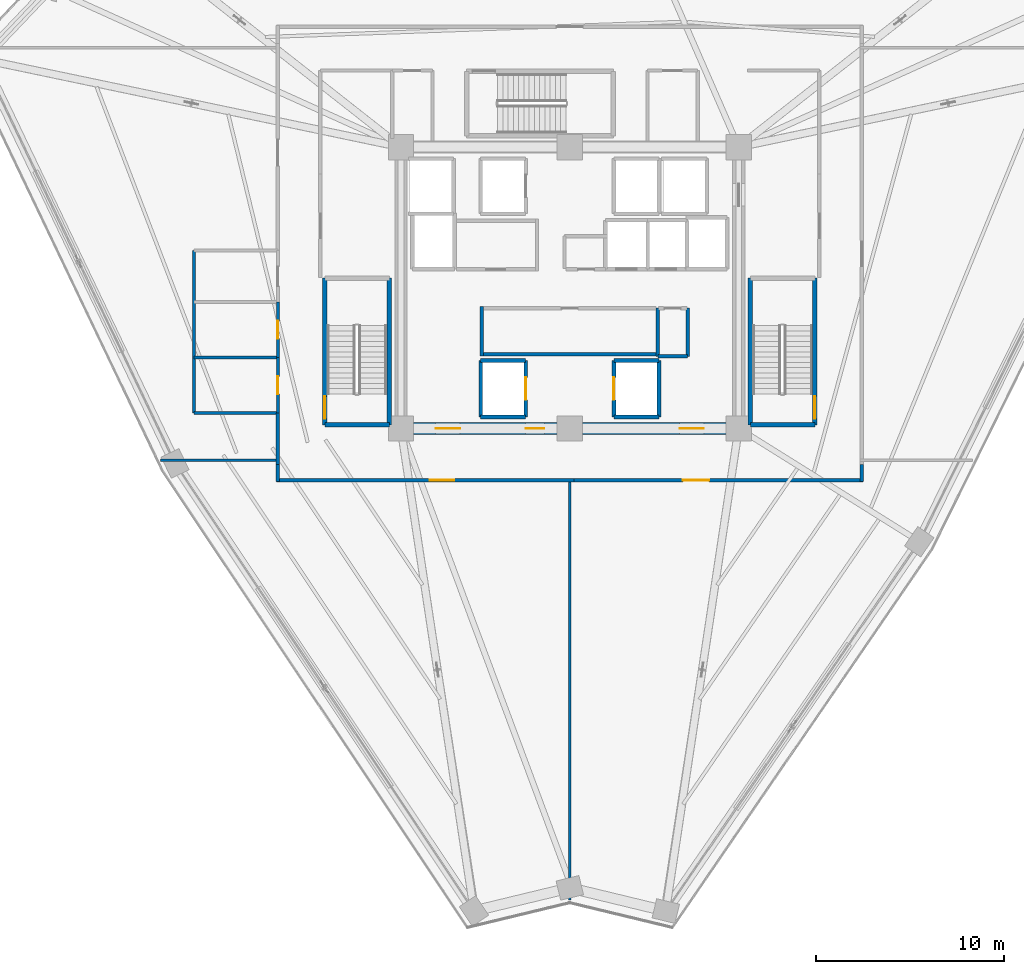
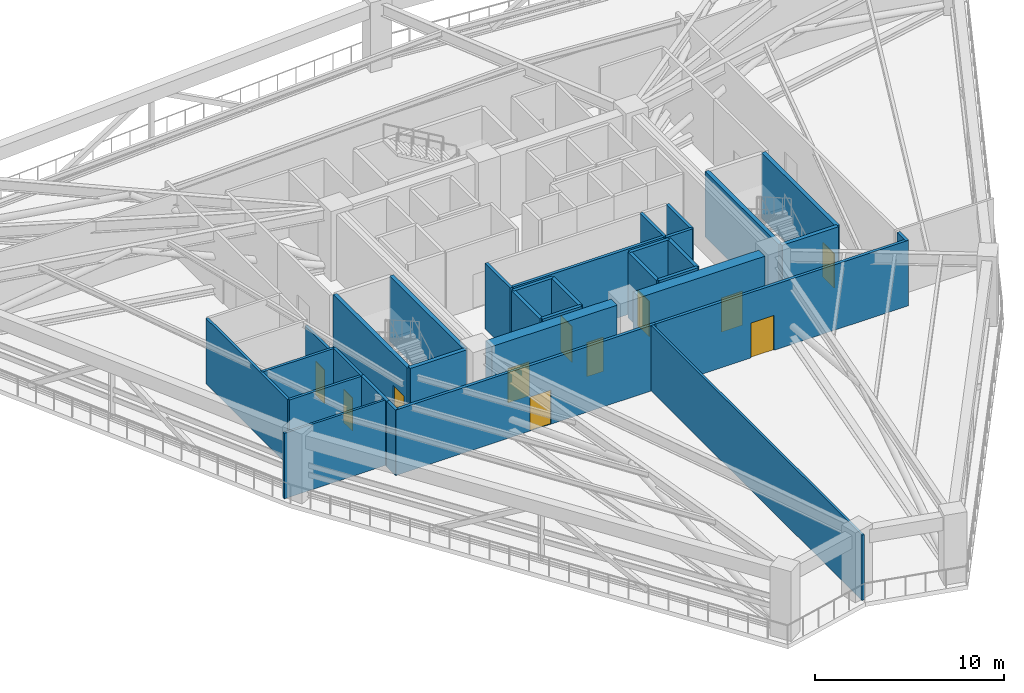
# One storey, part 14 of 22: 33 walls, 11 doors, 11 openings.
"""IFC4 building model written with IfcOpenShell, lengths in metres."""

from ifc_helpers import new_model, si_unit, direction, frame, frame_2d, origin, place, context, subcontext, project, spatial, rectangle, extrude, source, transform, mapped, material, layer, layer_set, type_object, element, fill, save


model = new_model("IFC4")

# Units and contexts
model_context = context("Model", 3, precision=1e-05, world=origin(), true_north=direction((0.0, 1.0)))
body_context = subcontext(model_context, "Body", "Model", "MODEL_VIEW")
ifc_project = project(units=[si_unit("LENGTHUNIT", "METRE"), si_unit("AREAUNIT", "SQUARE_METRE"), si_unit("VOLUMEUNIT", "CUBIC_METRE"), si_unit("PLANEANGLEUNIT", "RADIAN"), si_unit("MASSUNIT", "GRAM", prefix="KILO")], contexts=[model_context])

# Site, building, storey
site_placement = place(None, origin())
site = spatial("IfcSite", under=ifc_project, at=site_placement, CompositionType="ELEMENT")
building_placement = place(site_placement, origin())
building = spatial("IfcBuilding", under=site, at=building_placement, Name="Liaohun Quay Tower", CompositionType="ELEMENT")
storey_placement = place(building_placement, frame((0.0, 0.0, 277.5)))
storey = spatial("IfcBuildingStorey", under=building, at=storey_placement, Name="L72", CompositionType="ELEMENT", Elevation=277.5)

# Wall, opening, door
ifc_material_1 = material(Name="Concrete C55", Category="concrete")
ifc_layer_1 = layer(ifc_material_1, 0.64990234375, Name="Concrete C55", Category="concrete")
ifc_layer_set_1 = layer_set([ifc_layer_1], Name="Concrete C55")
wall_type_1 = type_object("IfcWallType", Name="WAL-COR-Z3", PredefinedType="SHEAR", material=ifc_layer_set_1)
wall_1_placement = place(storey_placement, frame((68.324951171875, 46.5, 0.0), z_axis=(0.0, 0.0, 1.0), x_axis=(-1.0, 0.0, 0.0)))
wall_1 = element("IfcWall", 1, at=wall_1_placement, inside=storey, type_object=wall_type_1, Name="L72 Central Core Shear Wall S-E", PredefinedType="SHEAR", context=body_context, shape_type="SweptSolid", body=[
    extrude(rectangle(XDim=7.64990234375, YDim=0.64990234375, at=frame_2d((3.824951171875, 0.0))), origin(), (0.0, 0.0, 1.0), 4.219970703125),
])
shared_shape_1 = source(origin(), body_context, "Body", "SweptSolid", [
    extrude(rectangle(XDim=1.300048828125, YDim=2.199951171875, at=frame_2d((0.64990234375, 1.10009765625))), frame((0.0, 0.3349609375, 0.0), z_axis=(0.0, -1.0, 0.0), x_axis=(1.0, 0.0, 0.0)), (0.0, 0.0, 1.0), 0.669921875),
])
opening_1_placement = place(wall_1_placement, frame((1.175048828125, 0.0, 0.0)))
opening_1 = element("IfcOpeningElement", 2, at=opening_1_placement, cuts=wall_1, Name="Opening FD1", PredefinedType="OPENING", context=body_context, shape_type="MappedRepresentation", body=[
    mapped(shared_shape_1, transform((0.0, 0.0, 0.0), x_axis=(1.0, 0.0, 0.0), y_axis=(0.0, 1.0, 0.0), z_axis=(0.0, 0.0, 1.0), scale=1.0)),
])
ifc_material_2 = material(Name="Galvanised steel smokeproof fire door", Category="steel")
door_type_1 = type_object("IfcDoorType", Name="DOR-FFL-1300", OperationType="NOTDEFINED", PredefinedType="DOOR", material=ifc_material_2)
shared_shape_2 = source(origin(), body_context, "Body", "SweptSolid", [
    extrude(rectangle(XDim=1.300048828125, YDim=2.199951171875, at=frame_2d((0.64990234375, 1.10009765625))), frame((0.0, 0.02490234375, 0.0), z_axis=(0.0, -1.0, 0.0), x_axis=(1.0, 0.0, 0.0)), (0.0, 0.0, 1.0), 0.050048828125),
])
door_1_placement = place(opening_1_placement, origin())
door_1 = element("IfcDoor", 3, at=door_1_placement, inside=storey, type_object=door_type_1, Name="L72 East Core Lift Lobby Smokeproof Door", OperationType="SINGLE_SWING_LEFT", OverallHeight=2.199951171875, OverallWidth=1.300048828125, PredefinedType="DOOR", context=body_context, shape_type="MappedRepresentation", body=[
    mapped(shared_shape_2, transform((0.0, 0.0, 0.0), x_axis=(1.0, 0.0, 0.0), y_axis=(0.0, 1.0, 0.0), z_axis=(0.0, 0.0, 1.0), scale=1.0)),
])
fill(opening_1, door_1)

# Wall, openings, doors
wall_2_placement = place(storey_placement, frame((59.324951171875, 46.5, 0.0), z_axis=(0.0, 0.0, 1.0), x_axis=(-1.0, 0.0, 0.0)))
wall_2 = element("IfcWall", 4, at=wall_2_placement, inside=storey, type_object=wall_type_1, Name="L72 Central Core Shear Wall S-W", PredefinedType="SHEAR", context=body_context, shape_type="SweptSolid", body=[
    extrude(rectangle(XDim=7.64990234375, YDim=0.64990234375, at=frame_2d((3.824951171875, 0.0))), origin(), (0.0, 0.0, 1.0), 4.219970703125),
])
opening_2_placement = place(wall_2_placement, frame((5.175048828125, 0.0, 0.0)))
opening_2 = element("IfcOpeningElement", 5, at=opening_2_placement, cuts=wall_2, Name="Opening FD1", PredefinedType="OPENING", context=body_context, shape_type="MappedRepresentation", body=[
    mapped(shared_shape_1, transform((0.0, 0.0, 0.0), x_axis=(1.0, 0.0, 0.0), y_axis=(0.0, 1.0, 0.0), z_axis=(0.0, 0.0, 1.0), scale=1.0)),
])
shared_shape_3 = source(origin(), body_context, "Body", "SweptSolid", [
    extrude(rectangle(XDim=1.0, YDim=2.199951171875, at=frame_2d((0.5, 1.10009765625))), frame((0.0, 0.3349609375, 0.0), z_axis=(0.0, -1.0, 0.0), x_axis=(1.0, 0.0, 0.0)), (0.0, 0.0, 1.0), 0.669921875),
])
opening_3_placement = place(wall_2_placement, frame((0.675048828125, 0.0, 0.0)))
opening_3 = element("IfcOpeningElement", 6, at=opening_3_placement, cuts=wall_2, Name="Opening FD2", PredefinedType="OPENING", context=body_context, shape_type="MappedRepresentation", body=[
    mapped(shared_shape_3, transform((0.0, 0.0, 0.0), x_axis=(1.0, 0.0, 0.0), y_axis=(0.0, 1.0, 0.0), z_axis=(0.0, 0.0, 1.0), scale=1.0)),
])
door_2_placement = place(opening_2_placement, origin())
door_2 = element("IfcDoor", 7, at=door_2_placement, inside=storey, type_object=door_type_1, Name="L72 West Core Lift Lobby Smokeproof Door", OperationType="SINGLE_SWING_RIGHT", OverallHeight=2.199951171875, OverallWidth=1.300048828125, PredefinedType="DOOR", context=body_context, shape_type="MappedRepresentation", body=[
    mapped(shared_shape_2, transform((0.0, 0.0, 0.0), x_axis=(1.0, 0.0, 0.0), y_axis=(0.0, 1.0, 0.0), z_axis=(0.0, 0.0, 1.0), scale=1.0)),
])
fill(opening_2, door_2)
ifc_material_3 = material(Name="Galvanised steel smokeproof lobby fire door", Category="steel")
door_type_2 = type_object("IfcDoorType", Name="DOR-FFL-1000", OperationType="NOTDEFINED", PredefinedType="DOOR", material=ifc_material_3)
shared_shape_4 = source(origin(), body_context, "Body", "SweptSolid", [
    extrude(rectangle(XDim=1.0, YDim=2.199951171875, at=frame_2d((0.5, 1.10009765625))), frame((0.0, 0.02490234375, 0.0), z_axis=(0.0, -1.0, 0.0), x_axis=(1.0, 0.0, 0.0)), (0.0, 0.0, 1.0), 0.050048828125),
])
door_3_placement = place(opening_3_placement, origin())
door_3 = element("IfcDoor", 8, at=door_3_placement, inside=storey, type_object=door_type_2, Name="L72 South Firefighting Lobby Smokeproof Door", OperationType="SINGLE_SWING_LEFT", OverallHeight=2.199951171875, OverallWidth=1.0, PredefinedType="DOOR", context=body_context, shape_type="MappedRepresentation", body=[
    mapped(shared_shape_4, transform((0.0, 0.0, 0.0), x_axis=(1.0, 0.0, 0.0), y_axis=(0.0, 1.0, 0.0), z_axis=(0.0, 0.0, 1.0), scale=1.0)),
])
fill(opening_3, door_3)

# Wall, opening, door
ifc_material_4 = material(Name="Autoclaved aerated concrete blockwork", Category="masonry")
ifc_layer_2 = layer(ifc_material_4, 0.179931640625, Name="Autoclaved aerated concrete blockwork", Category="masonry")
ifc_layer_set_2 = layer_set([ifc_layer_2], Name="Autoclaved aerated concrete blockwork")
wall_type_2 = type_object("IfcWallType", Name="WAL-PRT-COR", PredefinedType="PARTITIONING", material=ifc_layer_set_2)
wall_3_placement = place(storey_placement, frame((60.215087890625, 43.739990234375, 0.0), z_axis=(0.0, 0.0, 1.0), x_axis=(-1.0, 0.0, 0.0)))
wall_3 = element("IfcWall", 9, at=wall_3_placement, inside=storey, type_object=wall_type_2, Name="L72 Interior Partition Wall 015", PredefinedType="PARTITIONING", context=body_context, shape_type="SweptSolid", body=[
    extrude(rectangle(XDim=15.844970703125, YDim=0.179931640625, at=frame_2d((7.92236328125, 0.0))), origin(), (0.0, 0.0, 1.0), 4.219970703125),
])
shared_shape_5 = source(origin(), body_context, "Body", "SweptSolid", [
    extrude(rectangle(XDim=1.300048828125, YDim=2.199951171875, at=frame_2d((0.64990234375, 1.10009765625))), frame((0.0, 0.099853515625, 0.0), z_axis=(0.0, -1.0, 0.0), x_axis=(1.0, 0.0, 0.0)), (0.0, 0.0, 1.0), 0.199951171875),
])
opening_4_placement = place(wall_3_placement, frame((6.373046875, 0.0, 0.0)))
opening_4 = element("IfcOpeningElement", 10, at=opening_4_placement, cuts=wall_3, Name="Opening FD1", PredefinedType="OPENING", context=body_context, shape_type="MappedRepresentation", body=[
    mapped(shared_shape_5, transform((0.0, 0.0, 0.0), x_axis=(1.0, 0.0, 0.0), y_axis=(0.0, 1.0, 0.0), z_axis=(0.0, 0.0, 1.0), scale=1.0)),
])
door_4_placement = place(opening_4_placement, origin())
door_4 = element("IfcDoor", 11, at=door_4_placement, inside=storey, type_object=door_type_1, Name="L72 North Open-Air Refuge Staging Area Door", OperationType="SINGLE_SWING_LEFT", OverallHeight=2.199951171875, OverallWidth=1.300048828125, PredefinedType="DOOR", context=body_context, shape_type="MappedRepresentation", body=[
    mapped(shared_shape_2, transform((0.0, 0.0, 0.0), x_axis=(1.0, 0.0, 0.0), y_axis=(0.0, 1.0, 0.0), z_axis=(0.0, 0.0, 1.0), scale=1.0)),
])
fill(opening_4, door_4)

wall_4_placement = place(storey_placement, frame((75.6298828125, 43.739990234375, 0.0), z_axis=(0.0, 0.0, 1.0), x_axis=(-1.0, 0.0, 0.0)))
wall_4 = element("IfcWall", 12, at=wall_4_placement, inside=storey, type_object=wall_type_2, Name="L72 Interior Partition Wall 016", PredefinedType="PARTITIONING", context=body_context, shape_type="SweptSolid", body=[
    extrude(rectangle(XDim=15.414794921875, YDim=0.179931640625, at=frame_2d((7.70751953125, 0.0))), origin(), (0.0, 0.0, 1.0), 4.219970703125),
])
shared_shape_6 = source(origin(), body_context, "Body", "SweptSolid", [
    extrude(rectangle(XDim=1.39990234375, YDim=2.25, at=frame_2d((0.699951171875, 1.125))), frame((0.0, 0.099853515625, 0.0), z_axis=(0.0, -1.0, 0.0), x_axis=(1.0, 0.0, 0.0)), (0.0, 0.0, 1.0), 0.199951171875),
])
opening_5_placement = place(wall_4_placement, frame((8.20703125, 0.0, 0.0)))
opening_5 = element("IfcOpeningElement", 13, at=opening_5_placement, cuts=wall_4, Name="Opening MD1", PredefinedType="OPENING", context=body_context, shape_type="MappedRepresentation", body=[
    mapped(shared_shape_6, transform((0.0, 0.0, 0.0), x_axis=(1.0, 0.0, 0.0), y_axis=(0.0, 1.0, 0.0), z_axis=(0.0, 0.0, 1.0), scale=1.0)),
])
ifc_material_5 = material(Name="Insulated steel plant room door", Category="steel")
door_type_3 = type_object("IfcDoorType", Name="DOR-MEP-1400", OperationType="DOUBLE_DOOR_SINGLE_SWING", PredefinedType="DOOR", material=ifc_material_5)
shared_shape_7 = source(origin(), body_context, "Body", "SweptSolid", [
    extrude(rectangle(XDim=1.39990234375, YDim=2.25, at=frame_2d((0.699951171875, 1.125))), frame((0.0, 0.02490234375, 0.0), z_axis=(0.0, -1.0, 0.0), x_axis=(1.0, 0.0, 0.0)), (0.0, 0.0, 1.0), 0.050048828125),
])
door_5_placement = place(opening_5_placement, origin())
door_5 = element("IfcDoor", 14, at=door_5_placement, inside=storey, type_object=door_type_3, Name="L72 East Booster Water Pump and Tank Plant Room Door", OperationType="DOUBLE_DOOR_SINGLE_SWING", OverallHeight=2.25, OverallWidth=1.39990234375, PredefinedType="DOOR", context=body_context, shape_type="MappedRepresentation", body=[
    mapped(shared_shape_7, transform((0.0, 0.0, 0.0), x_axis=(1.0, 0.0, 0.0), y_axis=(0.0, 1.0, 0.0), z_axis=(0.0, 0.0, 1.0), scale=1.0)),
])
fill(opening_5, door_5)

# Walls
wall_5_placement = place(storey_placement, frame((64.68994140625, 50.35009765625, 0.0), z_axis=(0.0, 0.0, 1.0), x_axis=(0.0, 1.0, 0.0)))
element("IfcWall", 15, at=wall_5_placement, inside=storey, type_object=wall_type_2, Name="L72 Interior Partition Wall 019", PredefinedType="PARTITIONING", context=body_context, shape_type="SweptSolid", body=[
    extrude(rectangle(XDim=2.56982421875, YDim=0.179931640625, at=frame_2d((1.284912109375, 0.0))), origin(), (0.0, 0.0, 1.0), 4.219970703125),
])
wall_6_placement = place(storey_placement, frame((64.68994140625, 50.35009765625, 0.0), z_axis=(0.0, 0.0, 1.0), x_axis=(1.0, 0.0, 0.0)))
element("IfcWall", 16, at=wall_6_placement, inside=storey, type_object=wall_type_2, Name="L72 Interior Partition Wall 020", PredefinedType="PARTITIONING", context=body_context, shape_type="SweptSolid", body=[
    extrude(rectangle(XDim=1.590087890625, YDim=0.179931640625, at=frame_2d((0.794921875, 0.0))), origin(), (0.0, 0.0, 1.0), 4.219970703125),
])
wall_7_placement = place(storey_placement, frame((66.280029296875, 50.35009765625, 0.0), z_axis=(0.0, 0.0, 1.0), x_axis=(0.0, 1.0, 0.0)))
element("IfcWall", 17, at=wall_7_placement, inside=storey, type_object=wall_type_2, Name="L72 Interior Partition Wall 021", PredefinedType="PARTITIONING", context=body_context, shape_type="SweptSolid", body=[
    extrude(rectangle(XDim=2.56982421875, YDim=0.179931640625, at=frame_2d((1.284912109375, 0.0))), origin(), (0.0, 0.0, 1.0), 4.219970703125),
])
wall_8_placement = place(storey_placement, frame((44.43994140625, 44.5849609375, 0.0), z_axis=(0.0, 0.0, 1.0), x_axis=(0.0, 1.0, 0.0)))
element("IfcWall", 18, at=wall_8_placement, inside=storey, type_object=wall_type_2, Name="L72 Interior Partition Wall 037", PredefinedType="PARTITIONING", context=body_context, shape_type="SweptSolid", body=[
    extrude(rectangle(XDim=2.755126953125, YDim=0.179931640625, at=frame_2d((1.37744140625, 0.0))), origin(), (0.0, 0.0, 1.0), 4.219970703125),
])
for number, where, z_axis, x_axis, name in (
    (19, (44.43994140625, 43.669921875, 0.0), (0.0, 0.0, 1.0), (0.0, 1.0, 0.0), "L72 Interior Partition Wall 038"),
    (20, (75.56005859375, 44.5849609375, 0.0), (0.0, 0.0, 1.0), (0.0, -1.0, 0.0), "L72 Interior Partition Wall 039"),
):
    element("IfcWall", number, at=place(storey_placement, frame(where, z_axis=z_axis, x_axis=x_axis)), inside=storey, type_object=wall_type_2, Name=name, PredefinedType="PARTITIONING", context=body_context, shape_type="SweptSolid", body=[
        extrude(rectangle(XDim=0.9150390625, YDim=0.179931640625, at=frame_2d((0.45751953125, 0.0))), origin(), (0.0, 0.0, 1.0), 4.219970703125),
    ])
wall_9_placement = place(storey_placement, frame((55.300048828125, 50.360107421875, 0.0), z_axis=(0.0, 0.0, 1.0), x_axis=(0.0, 1.0, 0.0)))
element("IfcWall", 21, at=wall_9_placement, inside=storey, type_object=wall_type_2, Name="L72 Interior Partition Wall 045", PredefinedType="PARTITIONING", context=body_context, shape_type="SweptSolid", body=[
    extrude(rectangle(XDim=2.64990234375, YDim=0.179931640625, at=frame_2d((1.324951171875, 0.0))), origin(), (0.0, 0.0, 1.0), 4.219970703125),
])
wall_10_placement = place(storey_placement, frame((55.389892578125, 50.449951171875, 0.0), z_axis=(0.0, 0.0, 1.0), x_axis=(1.0, 0.0, 0.0)))
element("IfcWall", 22, at=wall_10_placement, inside=storey, type_object=wall_type_2, Name="L72 Interior Partition Wall 046", PredefinedType="PARTITIONING", context=body_context, shape_type="SweptSolid", body=[
    extrude(rectangle(XDim=9.210205078125, YDim=0.179931640625, at=frame_2d((4.60498046875, 0.0))), origin(), (0.0, 0.0, 1.0), 4.219970703125),
])
ifc_material_6 = material(Name="Gypsum board on twin steel studs", Category="steel")
ifc_layer_3 = layer(ifc_material_6, 0.139892578125, Name="Gypsum board on twin steel studs", Category="steel")
ifc_layer_set_3 = layer_set([ifc_layer_3], Name="Gypsum board on twin steel studs")
wall_type_3 = type_object("IfcWallType", Name="WAL-PRT-OFF", PredefinedType="PARTITIONING", material=ifc_layer_set_3)
wall_11_placement = place(storey_placement, frame((44.5400390625, 44.800048828125, 0.0), z_axis=(0.0, 0.0, 1.0), x_axis=(-1.0, 0.0, 0.0)))
element("IfcWall", 23, at=wall_11_placement, inside=storey, type_object=wall_type_3, Name="L72 Interior Partition Wall 040", PredefinedType="PARTITIONING", context=body_context, shape_type="SweptSolid", body=[
    extrude(rectangle(XDim=6.35107421875, YDim=0.139892578125, at=frame_2d((3.175537109375, 0.0))), origin(), (0.0, 0.0, 1.0), 4.219970703125),
])
wall_12_placement = place(storey_placement, frame((60.0, 43.840087890625, 0.0), z_axis=(0.0, 0.0, 1.0), x_axis=(0.0, -1.0, 0.0)))
element("IfcWall", 24, at=wall_12_placement, inside=storey, type_object=wall_type_3, Name="L72 Interior Partition Wall 044", PredefinedType="PARTITIONING", context=body_context, shape_type="SweptSolid", body=[
    extrude(rectangle(XDim=22.47119140625, YDim=0.139892578125, at=frame_2d((11.235595703125, 0.0))), origin(), (0.0, 0.0, 1.0), 4.219970703125),
])

# Wall, opening, door
ifc_material_7 = material(Name="Moisture-resistant masonry blockwork", Category="masonry")
ifc_layer_4 = layer(ifc_material_7, 0.159912109375, Name="Moisture-resistant masonry blockwork", Category="masonry")
ifc_layer_set_4 = layer_set([ifc_layer_4], Name="Moisture-resistant masonry blockwork")
wall_type_4 = type_object("IfcWallType", Name="WAL-PRT-WET", PredefinedType="PARTITIONING", material=ifc_layer_set_4)
wall_13_placement = place(storey_placement, frame((44.43994140625, 47.340087890625, 0.0), z_axis=(0.0, 0.0, 1.0), x_axis=(0.0, 1.0, 0.0)))
wall_13 = element("IfcWall", 25, at=wall_13_placement, inside=storey, type_object=wall_type_4, Name="L72 Interior Partition Wall 005", PredefinedType="PARTITIONING", context=body_context, shape_type="SweptSolid", body=[
    extrude(rectangle(XDim=2.93994140625, YDim=0.159912109375, at=frame_2d((1.469970703125, 0.0))), origin(), (0.0, 0.0, 1.0), 4.219970703125),
])
shared_shape_8 = source(origin(), body_context, "Body", "SweptSolid", [
    extrude(rectangle(XDim=0.949951171875, YDim=2.14990234375, at=frame_2d((0.47509765625, 1.074951171875))), frame((0.0, 0.08984375, 0.0), z_axis=(0.0, -1.0, 0.0), x_axis=(1.0, 0.0, 0.0)), (0.0, 0.0, 1.0), 0.179931640625),
])
opening_6_placement = place(wall_13_placement, frame((0.9951171875, 0.0, 0.0)))
opening_6 = element("IfcOpeningElement", 26, at=opening_6_placement, cuts=wall_13, Name="Opening WD1", PredefinedType="OPENING", context=body_context, shape_type="MappedRepresentation", body=[
    mapped(shared_shape_8, transform((0.0, 0.0, 0.0), x_axis=(1.0, 0.0, 0.0), y_axis=(0.0, 1.0, 0.0), z_axis=(0.0, 0.0, 1.0), scale=1.0)),
])
ifc_material_8 = material(Name="Moisture-resistant laminate timber leaf", Category="wood")
door_type_4 = type_object("IfcDoorType", Name="DOR-WC-950", OperationType="NOTDEFINED", PredefinedType="DOOR", material=ifc_material_8)
shared_shape_9 = source(origin(), body_context, "Body", "SweptSolid", [
    extrude(rectangle(XDim=0.949951171875, YDim=2.14990234375, at=frame_2d((0.47509765625, 1.074951171875))), frame((0.0, 0.02490234375, 0.0), z_axis=(0.0, -1.0, 0.0), x_axis=(1.0, 0.0, 0.0)), (0.0, 0.0, 1.0), 0.050048828125),
])
door_6_placement = place(opening_6_placement, origin())
door_6 = element("IfcDoor", 27, at=door_6_placement, inside=storey, type_object=door_type_4, Name="L72 Male Restroom WC Door", OperationType="SINGLE_SWING_LEFT", OverallHeight=2.14990234375, OverallWidth=0.949951171875, PredefinedType="DOOR", context=body_context, shape_type="MappedRepresentation", body=[
    mapped(shared_shape_9, transform((0.0, 0.0, 0.0), x_axis=(1.0, 0.0, 0.0), y_axis=(0.0, 1.0, 0.0), z_axis=(0.0, 0.0, 1.0), scale=1.0)),
])
fill(opening_6, door_6)

wall_14_placement = place(storey_placement, frame((44.43994140625, 50.280029296875, 0.0), z_axis=(0.0, 0.0, 1.0), x_axis=(0.0, 1.0, 0.0)))
wall_14 = element("IfcWall", 28, at=wall_14_placement, inside=storey, type_object=wall_type_4, Name="L72 Interior Partition Wall 006", PredefinedType="PARTITIONING", context=body_context, shape_type="SweptSolid", body=[
    extrude(rectangle(XDim=2.9599609375, YDim=0.159912109375, at=frame_2d((1.47998046875, 0.0))), origin(), (0.0, 0.0, 1.0), 3.85498046875),
])
opening_7_placement = place(wall_14_placement, frame((1.0048828125, 0.0, 0.0)))
opening_7 = element("IfcOpeningElement", 29, at=opening_7_placement, cuts=wall_14, Name="Opening WD1", PredefinedType="OPENING", context=body_context, shape_type="MappedRepresentation", body=[
    mapped(shared_shape_8, transform((0.0, 0.0, 0.0), x_axis=(1.0, 0.0, 0.0), y_axis=(0.0, 1.0, 0.0), z_axis=(0.0, 0.0, 1.0), scale=1.0)),
])
door_7_placement = place(opening_7_placement, origin())
door_7 = element("IfcDoor", 30, at=door_7_placement, inside=storey, type_object=door_type_4, Name="L72 Female Restroom WC Door", OperationType="SINGLE_SWING_RIGHT", OverallHeight=2.14990234375, OverallWidth=0.949951171875, PredefinedType="DOOR", context=body_context, shape_type="MappedRepresentation", body=[
    mapped(shared_shape_9, transform((0.0, 0.0, 0.0), x_axis=(1.0, 0.0, 0.0), y_axis=(0.0, 1.0, 0.0), z_axis=(0.0, 0.0, 1.0), scale=1.0)),
])
fill(opening_7, door_7)

# Walls
wall_15_placement = place(storey_placement, frame((39.97998046875, 47.340087890625, 0.0), z_axis=(0.0, 0.0, 1.0), x_axis=(0.0, 1.0, 0.0)))
element("IfcWall", 31, at=wall_15_placement, inside=storey, type_object=wall_type_4, Name="L72 Interior Partition Wall 022", PredefinedType="PARTITIONING", context=body_context, shape_type="SweptSolid", body=[
    extrude(rectangle(XDim=8.639892578125, YDim=0.159912109375, at=frame_2d((4.31982421875, 0.0))), origin(), (0.0, 0.0, 1.0), 4.219970703125),
])
for number, where, z_axis, x_axis, name in (
    (32, (39.97998046875, 47.340087890625, 0.0), (0.0, 0.0, 1.0), (1.0, 0.0, 0.0), "L72 Interior Partition Wall 023"),
    (33, (39.97998046875, 50.280029296875, 0.0), (0.0, 0.0, 1.0), (1.0, 0.0, 0.0), "L72 Interior Partition Wall 024"),
):
    element("IfcWall", number, at=place(storey_placement, frame(where, z_axis=z_axis, x_axis=x_axis)), inside=storey, type_object=wall_type_4, Name=name, PredefinedType="PARTITIONING", context=body_context, shape_type="SweptSolid", body=[
        extrude(rectangle(XDim=4.4599609375, YDim=0.159912109375, at=frame_2d((2.22998046875, 0.0))), origin(), (0.0, 0.0, 1.0), 4.219970703125),
    ])
ifc_material_9 = material(Name="Concrete C50", Category="concrete")
ifc_layer_5 = layer(ifc_material_9, 0.239990234375, Name="Concrete C50", Category="concrete")
ifc_layer_set_5 = layer_set([ifc_layer_5], Name="Concrete C50")
wall_type_5 = type_object("IfcWallType", Name="WAL-SHF-200", PredefinedType="SOLIDWALL", material=ifc_layer_set_5)
wall_16_placement = place(storey_placement, frame((46.93994140625, 46.699951171875, 0.0), z_axis=(0.0, 0.0, 1.0), x_axis=(1.0, 0.0, 0.0)))
element("IfcWall", 34, at=wall_16_placement, inside=storey, type_object=wall_type_5, Name="L72 Stairwell ST-1 Structural Core Wall S", PredefinedType="SOLIDWALL", context=body_context, shape_type="SweptSolid", body=[
    extrude(rectangle(XDim=3.43994140625, YDim=0.239990234375, at=frame_2d((1.719970703125, 0.0))), origin(), (0.0, 0.0, 1.0), 4.219970703125),
])
wall_17_placement = place(storey_placement, frame((50.3798828125, 46.699951171875, 0.0), z_axis=(0.0, 0.0, 1.0), x_axis=(0.0, 1.0, 0.0)))
element("IfcWall", 35, at=wall_17_placement, inside=storey, type_object=wall_type_5, Name="L72 Stairwell ST-1 Structural Core Wall E", PredefinedType="SOLIDWALL", context=body_context, shape_type="SweptSolid", body=[
    extrude(rectangle(XDim=7.820068359375, YDim=0.239990234375, at=frame_2d((3.91015625, 0.0))), origin(), (0.0, 0.0, 1.0), 4.219970703125),
])

# Wall, opening, door
wall_18_placement = place(storey_placement, frame((46.93994140625, 54.52001953125, 0.0), z_axis=(0.0, 0.0, 1.0), x_axis=(0.0, -1.0, 0.0)))
wall_18 = element("IfcWall", 36, at=wall_18_placement, inside=storey, type_object=wall_type_5, Name="L72 Stairwell ST-1 Structural Core Wall W", PredefinedType="SOLIDWALL", context=body_context, shape_type="SweptSolid", body=[
    extrude(rectangle(XDim=7.820068359375, YDim=0.239990234375, at=frame_2d((3.91015625, 0.0))), origin(), (0.0, 0.0, 1.0), 4.219970703125),
])
shared_shape_10 = source(origin(), body_context, "Body", "SweptSolid", [
    extrude(rectangle(XDim=1.199951171875, YDim=2.199951171875, at=frame_2d((0.60009765625, 1.10009765625))), frame((0.0, 0.1298828125, 0.0), z_axis=(0.0, -1.0, 0.0), x_axis=(1.0, 0.0, 0.0)), (0.0, 0.0, 1.0), 0.260009765625),
])
opening_8_placement = place(wall_18_placement, frame((6.300048828125, 0.0, 0.0)))
opening_8 = element("IfcOpeningElement", 37, at=opening_8_placement, cuts=wall_18, Name="Opening SD1", PredefinedType="OPENING", context=body_context, shape_type="MappedRepresentation", body=[
    mapped(shared_shape_10, transform((0.0, 0.0, 0.0), x_axis=(1.0, 0.0, 0.0), y_axis=(0.0, 1.0, 0.0), z_axis=(0.0, 0.0, 1.0), scale=1.0)),
])
ifc_material_10 = material(Name="Galvanised steel fire door", Category="steel")
door_type_5 = type_object("IfcDoorType", Name="DOR-STR-1200", OperationType="NOTDEFINED", PredefinedType="DOOR", material=ifc_material_10)
shared_shape_11 = source(origin(), body_context, "Body", "SweptSolid", [
    extrude(rectangle(XDim=1.199951171875, YDim=2.199951171875, at=frame_2d((0.60009765625, 1.10009765625))), frame((0.0, 0.02490234375, 0.0), z_axis=(0.0, -1.0, 0.0), x_axis=(1.0, 0.0, 0.0)), (0.0, 0.0, 1.0), 0.050048828125),
])
door_8_placement = place(opening_8_placement, origin())
door_8 = element("IfcDoor", 38, at=door_8_placement, inside=storey, type_object=door_type_5, Name="L72 Protected Stair ST-1 Fire Door", OperationType="SINGLE_SWING_LEFT", OverallHeight=2.199951171875, OverallWidth=1.199951171875, PredefinedType="DOOR", context=body_context, shape_type="MappedRepresentation", body=[
    mapped(shared_shape_11, transform((0.0, 0.0, 0.0), x_axis=(1.0, 0.0, 0.0), y_axis=(0.0, 1.0, 0.0), z_axis=(0.0, 0.0, 1.0), scale=1.0)),
])
fill(opening_8, door_8)

# Wall
wall_19_placement = place(storey_placement, frame((69.6201171875, 46.699951171875, 0.0), z_axis=(0.0, 0.0, 1.0), x_axis=(1.0, 0.0, 0.0)))
element("IfcWall", 39, at=wall_19_placement, inside=storey, type_object=wall_type_5, Name="L72 Stairwell ST-2 Structural Core Wall S", PredefinedType="SOLIDWALL", context=body_context, shape_type="SweptSolid", body=[
    extrude(rectangle(XDim=3.43994140625, YDim=0.239990234375, at=frame_2d((1.719970703125, 0.0))), origin(), (0.0, 0.0, 1.0), 4.219970703125),
])

# Wall, opening, door
wall_20_placement = place(storey_placement, frame((73.06005859375, 46.699951171875, 0.0), z_axis=(0.0, 0.0, 1.0), x_axis=(0.0, 1.0, 0.0)))
wall_20 = element("IfcWall", 40, at=wall_20_placement, inside=storey, type_object=wall_type_5, Name="L72 Stairwell ST-2 Structural Core Wall E", PredefinedType="SOLIDWALL", context=body_context, shape_type="SweptSolid", body=[
    extrude(rectangle(XDim=7.820068359375, YDim=0.239990234375, at=frame_2d((3.91015625, 0.0))), origin(), (0.0, 0.0, 1.0), 4.219970703125),
])
opening_9_placement = place(wall_20_placement, frame((0.320068359375, 0.0, 0.0)))
opening_9 = element("IfcOpeningElement", 41, at=opening_9_placement, cuts=wall_20, Name="Opening SD1", PredefinedType="OPENING", context=body_context, shape_type="MappedRepresentation", body=[
    mapped(shared_shape_10, transform((0.0, 0.0, 0.0), x_axis=(1.0, 0.0, 0.0), y_axis=(0.0, 1.0, 0.0), z_axis=(0.0, 0.0, 1.0), scale=1.0)),
])
door_9_placement = place(opening_9_placement, origin())
door_9 = element("IfcDoor", 42, at=door_9_placement, inside=storey, type_object=door_type_5, Name="L72 Protected Stair ST-2 Fire Door", OperationType="SINGLE_SWING_RIGHT", OverallHeight=2.199951171875, OverallWidth=1.199951171875, PredefinedType="DOOR", context=body_context, shape_type="MappedRepresentation", body=[
    mapped(shared_shape_11, transform((0.0, 0.0, 0.0), x_axis=(1.0, 0.0, 0.0), y_axis=(0.0, 1.0, 0.0), z_axis=(0.0, 0.0, 1.0), scale=1.0)),
])
fill(opening_9, door_9)

# Walls
wall_21_placement = place(storey_placement, frame((69.6201171875, 54.52001953125, 0.0), z_axis=(0.0, 0.0, 1.0), x_axis=(0.0, -1.0, 0.0)))
element("IfcWall", 43, at=wall_21_placement, inside=storey, type_object=wall_type_5, Name="L72 Stairwell ST-2 Structural Core Wall W", PredefinedType="SOLIDWALL", context=body_context, shape_type="SweptSolid", body=[
    extrude(rectangle(XDim=7.820068359375, YDim=0.239990234375, at=frame_2d((3.91015625, 0.0))), origin(), (0.0, 0.0, 1.0), 4.219970703125),
])
wall_22_placement = place(storey_placement, frame((55.25, 47.1201171875, 0.0), z_axis=(0.0, 0.0, 1.0), x_axis=(1.0, 0.0, 0.0)))
element("IfcWall", 44, at=wall_22_placement, inside=storey, type_object=wall_type_5, Name="L72 Lift FF-01 Hoistway Wall S", PredefinedType="SOLIDWALL", context=body_context, shape_type="SweptSolid", body=[
    extrude(rectangle(XDim=2.39990234375, YDim=0.199951171875, at=frame_2d((1.199951171875, 0.0))), origin(), (0.0, 0.0, 1.0), 4.219970703125),
])

# Wall, opening, door
wall_23_placement = place(storey_placement, frame((57.64990234375, 47.1201171875, 0.0), z_axis=(0.0, 0.0, 1.0), x_axis=(0.0, 1.0, 0.0)))
wall_23 = element("IfcWall", 45, at=wall_23_placement, inside=storey, type_object=wall_type_5, Name="L72 Lift FF-01 Hoistway Wall E", PredefinedType="SOLIDWALL", context=body_context, shape_type="SweptSolid", body=[
    extrude(rectangle(XDim=3.0, YDim=0.199951171875, at=frame_2d((1.5, 0.0))), origin(), (0.0, 0.0, 1.0), 4.219970703125),
])
shared_shape_12 = source(origin(), body_context, "Body", "SweptSolid", [
    extrude(rectangle(XDim=1.199951171875, YDim=2.300048828125, at=frame_2d((0.60009765625, 1.14990234375))), frame((0.0, 0.10986328125, 0.0), z_axis=(0.0, -1.0, 0.0), x_axis=(1.0, 0.0, 0.0)), (0.0, 0.0, 1.0), 0.219970703125),
])
opening_10_placement = place(wall_23_placement, frame((0.89990234375, 0.0, 0.0)))
opening_10 = element("IfcOpeningElement", 46, at=opening_10_placement, cuts=wall_23, Name="Opening LD2", PredefinedType="OPENING", context=body_context, shape_type="MappedRepresentation", body=[
    mapped(shared_shape_12, transform((0.0, 0.0, 0.0), x_axis=(1.0, 0.0, 0.0), y_axis=(0.0, 1.0, 0.0), z_axis=(0.0, 0.0, 1.0), scale=1.0)),
])
ifc_material_11 = material(Name="Brushed stainless steel stretcher landing door", Category="steel")
door_type_6 = type_object("IfcDoorType", Name="DOR-LFT-1200", OperationType="SLIDING_TO_LEFT", PredefinedType="DOOR", material=ifc_material_11)
shared_shape_13 = source(origin(), body_context, "Body", "SweptSolid", [
    extrude(rectangle(XDim=1.199951171875, YDim=2.300048828125, at=frame_2d((0.60009765625, 1.14990234375))), frame((0.0, 0.02490234375, 0.0), z_axis=(0.0, -1.0, 0.0), x_axis=(1.0, 0.0, 0.0)), (0.0, 0.0, 1.0), 0.050048828125),
])
door_10_placement = place(opening_10_placement, origin())
door_10 = element("IfcDoor", 47, at=door_10_placement, inside=storey, type_object=door_type_6, Name="L72 Lift FF-01 Sliding Landing Door", OperationType="SLIDING_TO_LEFT", OverallHeight=2.300048828125, OverallWidth=1.199951171875, PredefinedType="DOOR", context=body_context, shape_type="MappedRepresentation", body=[
    mapped(shared_shape_13, transform((0.0, 0.0, 0.0), x_axis=(1.0, 0.0, 0.0), y_axis=(0.0, 1.0, 0.0), z_axis=(0.0, 0.0, 1.0), scale=1.0)),
])
fill(opening_10, door_10)

# Walls
wall_24_placement = place(storey_placement, frame((57.64990234375, 50.1201171875, 0.0), z_axis=(0.0, 0.0, 1.0), x_axis=(-1.0, 0.0, 0.0)))
element("IfcWall", 48, at=wall_24_placement, inside=storey, type_object=wall_type_5, Name="L72 Lift FF-01 Hoistway Wall N", PredefinedType="SOLIDWALL", context=body_context, shape_type="SweptSolid", body=[
    extrude(rectangle(XDim=2.39990234375, YDim=0.199951171875, at=frame_2d((1.199951171875, 0.0))), origin(), (0.0, 0.0, 1.0), 4.219970703125),
])
wall_25_placement = place(storey_placement, frame((55.25, 50.1201171875, 0.0), z_axis=(0.0, 0.0, 1.0), x_axis=(0.0, -1.0, 0.0)))
element("IfcWall", 49, at=wall_25_placement, inside=storey, type_object=wall_type_5, Name="L72 Lift FF-01 Hoistway Wall W", PredefinedType="SOLIDWALL", context=body_context, shape_type="SweptSolid", body=[
    extrude(rectangle(XDim=3.0, YDim=0.199951171875, at=frame_2d((1.5, 0.0))), origin(), (0.0, 0.0, 1.0), 4.219970703125),
])
wall_26_placement = place(storey_placement, frame((62.35009765625, 47.1201171875, 0.0), z_axis=(0.0, 0.0, 1.0), x_axis=(1.0, 0.0, 0.0)))
element("IfcWall", 50, at=wall_26_placement, inside=storey, type_object=wall_type_5, Name="L72 Lift FF-02 Hoistway Wall S", PredefinedType="SOLIDWALL", context=body_context, shape_type="SweptSolid", body=[
    extrude(rectangle(XDim=2.39990234375, YDim=0.199951171875, at=frame_2d((1.199951171875, 0.0))), origin(), (0.0, 0.0, 1.0), 4.219970703125),
])
wall_27_placement = place(storey_placement, frame((64.75, 47.1201171875, 0.0), z_axis=(0.0, 0.0, 1.0), x_axis=(0.0, 1.0, 0.0)))
element("IfcWall", 51, at=wall_27_placement, inside=storey, type_object=wall_type_5, Name="L72 Lift FF-02 Hoistway Wall E", PredefinedType="SOLIDWALL", context=body_context, shape_type="SweptSolid", body=[
    extrude(rectangle(XDim=3.0, YDim=0.199951171875, at=frame_2d((1.5, 0.0))), origin(), (0.0, 0.0, 1.0), 4.219970703125),
])
wall_28_placement = place(storey_placement, frame((64.75, 50.1201171875, 0.0), z_axis=(0.0, 0.0, 1.0), x_axis=(-1.0, 0.0, 0.0)))
element("IfcWall", 52, at=wall_28_placement, inside=storey, type_object=wall_type_5, Name="L72 Lift FF-02 Hoistway Wall N", PredefinedType="SOLIDWALL", context=body_context, shape_type="SweptSolid", body=[
    extrude(rectangle(XDim=2.39990234375, YDim=0.199951171875, at=frame_2d((1.199951171875, 0.0))), origin(), (0.0, 0.0, 1.0), 4.219970703125),
])

# Wall, opening, door
wall_29_placement = place(storey_placement, frame((62.35009765625, 50.1201171875, 0.0), z_axis=(0.0, 0.0, 1.0), x_axis=(0.0, -1.0, 0.0)))
wall_29 = element("IfcWall", 53, at=wall_29_placement, inside=storey, type_object=wall_type_5, Name="L72 Lift FF-02 Hoistway Wall W", PredefinedType="SOLIDWALL", context=body_context, shape_type="SweptSolid", body=[
    extrude(rectangle(XDim=3.0, YDim=0.199951171875, at=frame_2d((1.5, 0.0))), origin(), (0.0, 0.0, 1.0), 4.219970703125),
])
opening_11_placement = place(wall_29_placement, frame((0.89990234375, 0.0, 0.0)))
opening_11 = element("IfcOpeningElement", 54, at=opening_11_placement, cuts=wall_29, Name="Opening LD2", PredefinedType="OPENING", context=body_context, shape_type="MappedRepresentation", body=[
    mapped(shared_shape_12, transform((0.0, 0.0, 0.0), x_axis=(1.0, 0.0, 0.0), y_axis=(0.0, 1.0, 0.0), z_axis=(0.0, 0.0, 1.0), scale=1.0)),
])
door_11_placement = place(opening_11_placement, origin())
door_11 = element("IfcDoor", 55, at=door_11_placement, inside=storey, type_object=door_type_6, Name="L72 Lift FF-02 Sliding Landing Door", OperationType="SLIDING_TO_LEFT", OverallHeight=2.300048828125, OverallWidth=1.199951171875, PredefinedType="DOOR", context=body_context, shape_type="MappedRepresentation", body=[
    mapped(shared_shape_13, transform((0.0, 0.0, 0.0), x_axis=(1.0, 0.0, 0.0), y_axis=(0.0, 1.0, 0.0), z_axis=(0.0, 0.0, 1.0), scale=1.0)),
])
fill(opening_11, door_11)

save(model, "model.ifc")
